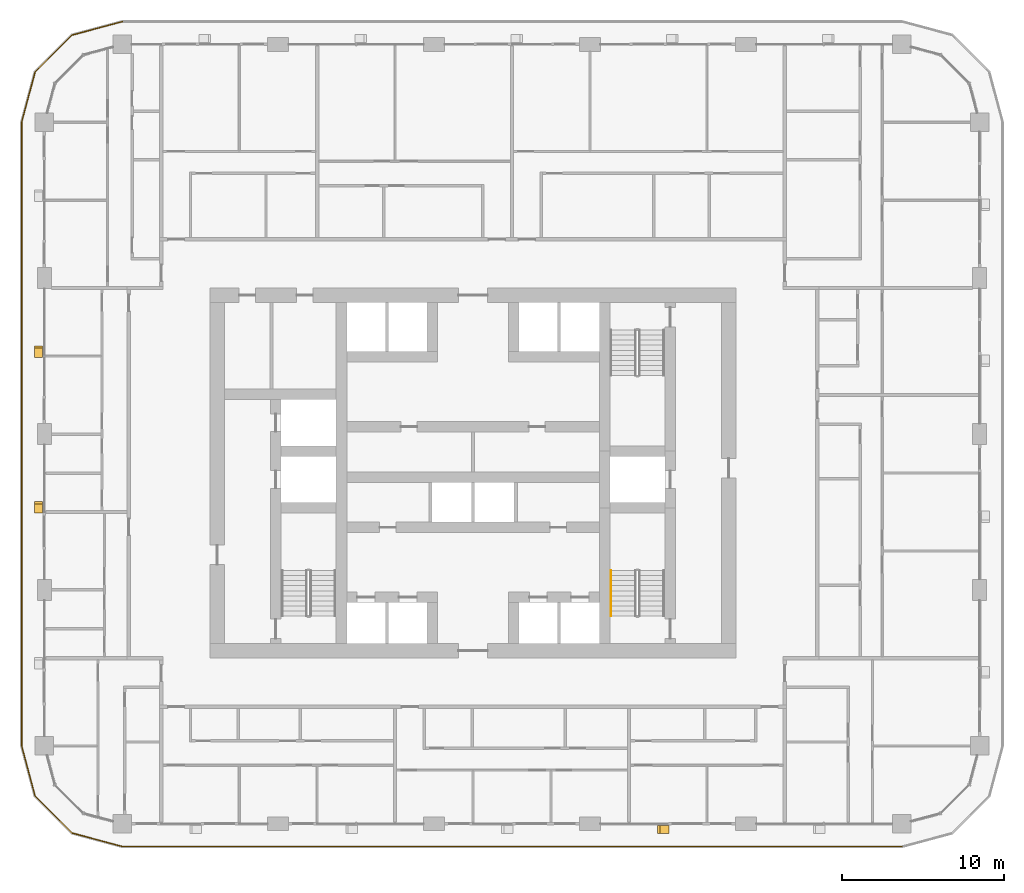
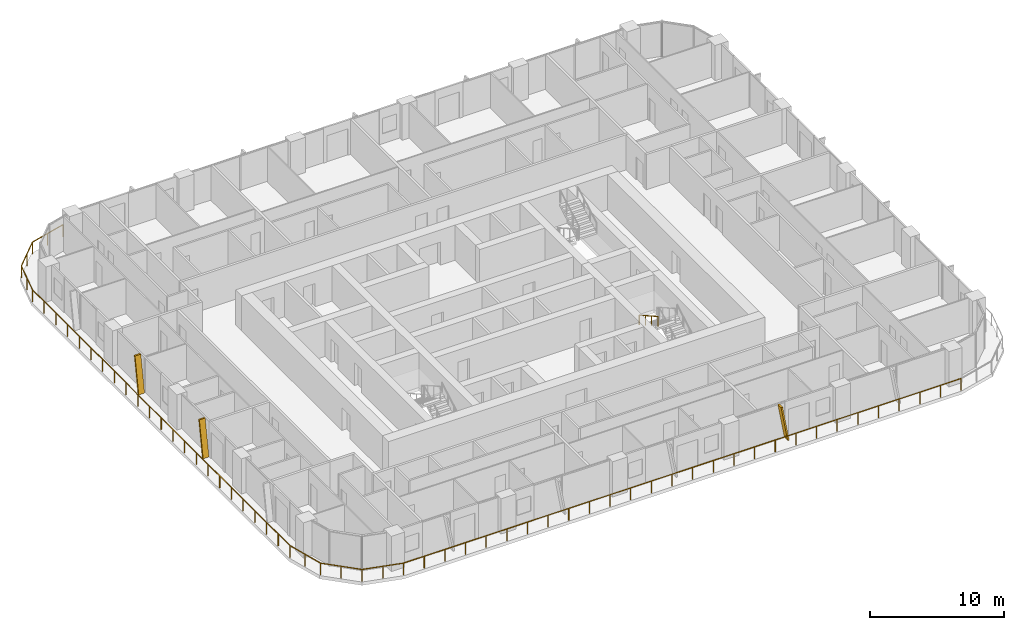
# One storey, part 17 of 21: 3 shading devices, 2 railings.
"""IFC4 building model written with IfcOpenShell, lengths in metres."""

from ifc_helpers import new_model, si_unit, direction, frame, origin, origin_2d, place, context, subcontext, project, spatial, polyline, circle, outline, extrude, material, type_object, element, save


model = new_model("IFC4")

# Units and contexts
model_context = context("Model", 3, precision=1e-05, world=origin(), true_north=direction((0.0, 1.0)))
body_context = subcontext(model_context, "Body", "Model", "MODEL_VIEW")
ifc_project = project(units=[si_unit("LENGTHUNIT", "METRE"), si_unit("AREAUNIT", "SQUARE_METRE"), si_unit("VOLUMEUNIT", "CUBIC_METRE"), si_unit("PLANEANGLEUNIT", "RADIAN"), si_unit("MASSUNIT", "GRAM", prefix="KILO")], contexts=[model_context])

# Site, building, storey
site_placement = place(None, origin())
site = spatial("IfcSite", under=ifc_project, at=site_placement, CompositionType="ELEMENT")
building_placement = place(site_placement, origin())
building = spatial("IfcBuilding", under=site, at=building_placement, Name="Madar Terraces", CompositionType="ELEMENT")
storey_placement = place(building_placement, frame((0.0, 0.0, 106.699951171875)))
storey = spatial("IfcBuildingStorey", under=building, at=storey_placement, Name="L27", CompositionType="ELEMENT", Elevation=106.699951171875)

# Railing
ifc_material_1 = material(Name="Glass, safety glazing, with stainless steel posts", Category="steel")
railing_type_1 = type_object("IfcRailingType", Name="Balcony glass guard 1100", PredefinedType="GUARDRAIL", material=ifc_material_1)
railing_1_placement = place(storey_placement, frame((9.60009765625, 54.199951171875, 0.0)))
element("IfcRailing", 1, at=railing_1_placement, inside=storey, type_object=railing_type_1, Name="Balcony guard", PredefinedType="GUARDRAIL", context=body_context, shape_type="SweptSolid", body=[
    extrude(circle(Radius=0.02392578125, at=origin_2d()), frame((0.0, 0.0, 1.076171875), z_axis=(-0.9659337912, -0.258789317819, 0.0), x_axis=(0.258789317819, -0.9659337912, 0.0)), (0.0, 0.0, 1.0), 3.20947265625),
    extrude(circle(Radius=0.02392578125, at=origin_2d()), frame((-3.10009765625, -0.83056640625, 1.076171875), z_axis=(-0.707106781187, -0.707106781187, 0.0), x_axis=(0.707106781187, -0.707106781187, 0.0)), (0.0, 0.0, 1.0), 3.209228515625),
    extrude(circle(Radius=0.02392578125, at=origin_2d()), frame((-5.369384765625, -3.099853515625, 1.076171875), z_axis=(-0.258860290944, -0.965914773555, 0.0), x_axis=(0.965914773555, -0.258860290944, 0.0)), (0.0, 0.0, 1.0), 3.20947265625),
    extrude(circle(Radius=0.02392578125, at=origin_2d()), frame((-6.2001953125, -6.199951171875, 1.076171875), z_axis=(0.0, -1.0, 0.0), x_axis=(1.0, 0.0, 0.0)), (0.0, 0.0, 1.0), 38.39990234375),
    extrude(circle(Radius=0.02392578125, at=origin_2d()), frame((-6.2001953125, -44.599853515625, 1.076171875), z_axis=(0.258860290944, -0.965914773555, 0.0), x_axis=(0.965914773555, 0.258860290944, 0.0)), (0.0, 0.0, 1.0), 3.20947265625),
    extrude(circle(Radius=0.02392578125, at=origin_2d()), frame((-5.369384765625, -47.699951171875, 1.076171875), z_axis=(0.707106781187, -0.707106781187, 0.0), x_axis=(0.707106781187, 0.707106781187, 0.0)), (0.0, 0.0, 1.0), 3.209228515625),
    extrude(circle(Radius=0.02392578125, at=origin_2d()), frame((-3.10009765625, -49.96923828125, 1.076171875), z_axis=(0.965914773555, -0.258860290944, 0.0), x_axis=(0.258860290944, 0.965914773555, 0.0)), (0.0, 0.0, 1.0), 3.20947265625),
    extrude(circle(Radius=0.02392578125, at=origin_2d()), frame((0.0, -50.800048828125, 1.076171875), z_axis=(1.0, 0.0, 0.0), x_axis=(0.0, 1.0, 0.0)), (0.0, 0.0, 1.0), 48.0),
    extrude(circle(Radius=0.02099609375, at=origin_2d()), origin(), (0.0, 0.0, 1.0), 1.052001953125),
    extrude(circle(Radius=0.02099609375, at=origin_2d()), frame((-1.550048828125, -0.415283203125, 0.0)), (0.0, 0.0, 1.0), 1.052001953125),
    extrude(circle(Radius=0.02099609375, at=origin_2d()), frame((-3.10009765625, -0.83056640625, 0.0)), (0.0, 0.0, 1.0), 1.052001953125),
    extrude(circle(Radius=0.02099609375, at=origin_2d()), frame((-4.23486328125, -1.96533203125, 0.0)), (0.0, 0.0, 1.0), 1.052001953125),
    extrude(circle(Radius=0.02099609375, at=origin_2d()), frame((-5.369384765625, -3.099853515625, 0.0)), (0.0, 0.0, 1.0), 1.052001953125),
    extrude(circle(Radius=0.02099609375, at=origin_2d()), frame((-5.78466796875, -4.64990234375, 0.0)), (0.0, 0.0, 1.0), 1.052001953125),
    extrude(circle(Radius=0.02099609375, at=origin_2d()), frame((-6.2001953125, -6.199951171875, 0.0)), (0.0, 0.0, 1.0), 1.052001953125),
    extrude(circle(Radius=0.02099609375, at=origin_2d()), frame((-6.2001953125, -7.9453125, 0.0)), (0.0, 0.0, 1.0), 1.052001953125),
    extrude(circle(Radius=0.02099609375, at=origin_2d()), frame((-6.2001953125, -9.69091796875, 0.0)), (0.0, 0.0, 1.0), 1.052001953125),
    extrude(circle(Radius=0.02099609375, at=origin_2d()), frame((-6.2001953125, -11.436279296875, 0.0)), (0.0, 0.0, 1.0), 1.052001953125),
    extrude(circle(Radius=0.02099609375, at=origin_2d()), frame((-6.2001953125, -13.181640625, 0.0)), (0.0, 0.0, 1.0), 1.052001953125),
    extrude(circle(Radius=0.02099609375, at=origin_2d()), frame((-6.2001953125, -14.92724609375, 0.0)), (0.0, 0.0, 1.0), 1.052001953125),
    extrude(circle(Radius=0.02099609375, at=origin_2d()), frame((-6.2001953125, -16.672607421875, 0.0)), (0.0, 0.0, 1.0), 1.052001953125),
    extrude(circle(Radius=0.02099609375, at=origin_2d()), frame((-6.2001953125, -18.418212890625, 0.0)), (0.0, 0.0, 1.0), 1.052001953125),
    extrude(circle(Radius=0.02099609375, at=origin_2d()), frame((-6.2001953125, -20.16357421875, 0.0)), (0.0, 0.0, 1.0), 1.052001953125),
    extrude(circle(Radius=0.02099609375, at=origin_2d()), frame((-6.2001953125, -21.908935546875, 0.0)), (0.0, 0.0, 1.0), 1.052001953125),
    extrude(circle(Radius=0.02099609375, at=origin_2d()), frame((-6.2001953125, -23.654541015625, 0.0)), (0.0, 0.0, 1.0), 1.052001953125),
    extrude(circle(Radius=0.02099609375, at=origin_2d()), frame((-6.2001953125, -25.39990234375, 0.0)), (0.0, 0.0, 1.0), 1.052001953125),
    extrude(circle(Radius=0.02099609375, at=origin_2d()), frame((-6.2001953125, -27.145263671875, 0.0)), (0.0, 0.0, 1.0), 1.052001953125),
    extrude(circle(Radius=0.02099609375, at=origin_2d()), frame((-6.2001953125, -28.890869140625, 0.0)), (0.0, 0.0, 1.0), 1.052001953125),
    extrude(circle(Radius=0.02099609375, at=origin_2d()), frame((-6.2001953125, -30.63623046875, 0.0)), (0.0, 0.0, 1.0), 1.052001953125),
    extrude(circle(Radius=0.02099609375, at=origin_2d()), frame((-6.2001953125, -32.381591796875, 0.0)), (0.0, 0.0, 1.0), 1.052001953125),
    extrude(circle(Radius=0.02099609375, at=origin_2d()), frame((-6.2001953125, -34.127197265625, 0.0)), (0.0, 0.0, 1.0), 1.052001953125),
    extrude(circle(Radius=0.02099609375, at=origin_2d()), frame((-6.2001953125, -35.87255859375, 0.0)), (0.0, 0.0, 1.0), 1.052001953125),
    extrude(circle(Radius=0.02099609375, at=origin_2d()), frame((-6.2001953125, -37.6181640625, 0.0)), (0.0, 0.0, 1.0), 1.052001953125),
    extrude(circle(Radius=0.02099609375, at=origin_2d()), frame((-6.2001953125, -39.363525390625, 0.0)), (0.0, 0.0, 1.0), 1.052001953125),
    extrude(circle(Radius=0.02099609375, at=origin_2d()), frame((-6.2001953125, -41.10888671875, 0.0)), (0.0, 0.0, 1.0), 1.052001953125),
    extrude(circle(Radius=0.02099609375, at=origin_2d()), frame((-6.2001953125, -42.8544921875, 0.0)), (0.0, 0.0, 1.0), 1.052001953125),
    extrude(circle(Radius=0.02099609375, at=origin_2d()), frame((-6.2001953125, -44.599853515625, 0.0)), (0.0, 0.0, 1.0), 1.052001953125),
    extrude(circle(Radius=0.02099609375, at=origin_2d()), frame((-5.78466796875, -46.14990234375, 0.0)), (0.0, 0.0, 1.0), 1.052001953125),
    extrude(circle(Radius=0.02099609375, at=origin_2d()), frame((-5.369384765625, -47.699951171875, 0.0)), (0.0, 0.0, 1.0), 1.052001953125),
    extrude(circle(Radius=0.02099609375, at=origin_2d()), frame((-4.23486328125, -48.83447265625, 0.0)), (0.0, 0.0, 1.0), 1.052001953125),
    extrude(circle(Radius=0.02099609375, at=origin_2d()), frame((-3.10009765625, -49.96923828125, 0.0)), (0.0, 0.0, 1.0), 1.052001953125),
    extrude(circle(Radius=0.02099609375, at=origin_2d()), frame((-1.550048828125, -50.384765625, 0.0)), (0.0, 0.0, 1.0), 1.052001953125),
    extrude(circle(Radius=0.02099609375, at=origin_2d()), frame((0.0, -50.800048828125, 0.0)), (0.0, 0.0, 1.0), 1.052001953125),
    extrude(circle(Radius=0.02099609375, at=origin_2d()), frame((1.77783203125, -50.800048828125, 0.0)), (0.0, 0.0, 1.0), 1.052001953125),
    extrude(circle(Radius=0.02099609375, at=origin_2d()), frame((3.5556640625, -50.800048828125, 0.0)), (0.0, 0.0, 1.0), 1.052001953125),
    extrude(circle(Radius=0.02099609375, at=origin_2d()), frame((5.333251953125, -50.800048828125, 0.0)), (0.0, 0.0, 1.0), 1.052001953125),
    extrude(circle(Radius=0.02099609375, at=origin_2d()), frame((7.111083984375, -50.800048828125, 0.0)), (0.0, 0.0, 1.0), 1.052001953125),
    extrude(circle(Radius=0.02099609375, at=origin_2d()), frame((8.888916015625, -50.800048828125, 0.0)), (0.0, 0.0, 1.0), 1.052001953125),
    extrude(circle(Radius=0.02099609375, at=origin_2d()), frame((10.666748046875, -50.800048828125, 0.0)), (0.0, 0.0, 1.0), 1.052001953125),
    extrude(circle(Radius=0.02099609375, at=origin_2d()), frame((12.4443359375, -50.800048828125, 0.0)), (0.0, 0.0, 1.0), 1.052001953125),
    extrude(circle(Radius=0.02099609375, at=origin_2d()), frame((14.22216796875, -50.800048828125, 0.0)), (0.0, 0.0, 1.0), 1.052001953125),
    extrude(circle(Radius=0.02099609375, at=origin_2d()), frame((16.0, -50.800048828125, 0.0)), (0.0, 0.0, 1.0), 1.052001953125),
    extrude(circle(Radius=0.02099609375, at=origin_2d()), frame((17.77783203125, -50.800048828125, 0.0)), (0.0, 0.0, 1.0), 1.052001953125),
    extrude(circle(Radius=0.02099609375, at=origin_2d()), frame((19.5556640625, -50.800048828125, 0.0)), (0.0, 0.0, 1.0), 1.052001953125),
    extrude(circle(Radius=0.02099609375, at=origin_2d()), frame((21.333251953125, -50.800048828125, 0.0)), (0.0, 0.0, 1.0), 1.052001953125),
    extrude(circle(Radius=0.02099609375, at=origin_2d()), frame((23.111083984375, -50.800048828125, 0.0)), (0.0, 0.0, 1.0), 1.052001953125),
    extrude(circle(Radius=0.02099609375, at=origin_2d()), frame((24.888916015625, -50.800048828125, 0.0)), (0.0, 0.0, 1.0), 1.052001953125),
    extrude(circle(Radius=0.02099609375, at=origin_2d()), frame((26.666748046875, -50.800048828125, 0.0)), (0.0, 0.0, 1.0), 1.052001953125),
    extrude(circle(Radius=0.02099609375, at=origin_2d()), frame((28.4443359375, -50.800048828125, 0.0)), (0.0, 0.0, 1.0), 1.052001953125),
    extrude(circle(Radius=0.02099609375, at=origin_2d()), frame((30.22216796875, -50.800048828125, 0.0)), (0.0, 0.0, 1.0), 1.052001953125),
    extrude(circle(Radius=0.02099609375, at=origin_2d()), frame((32.0, -50.800048828125, 0.0)), (0.0, 0.0, 1.0), 1.052001953125),
    extrude(circle(Radius=0.02099609375, at=origin_2d()), frame((33.77783203125, -50.800048828125, 0.0)), (0.0, 0.0, 1.0), 1.052001953125),
    extrude(circle(Radius=0.02099609375, at=origin_2d()), frame((35.5556640625, -50.800048828125, 0.0)), (0.0, 0.0, 1.0), 1.052001953125),
    extrude(circle(Radius=0.02099609375, at=origin_2d()), frame((37.333251953125, -50.800048828125, 0.0)), (0.0, 0.0, 1.0), 1.052001953125),
    extrude(circle(Radius=0.02099609375, at=origin_2d()), frame((39.111083984375, -50.800048828125, 0.0)), (0.0, 0.0, 1.0), 1.052001953125),
    extrude(circle(Radius=0.02099609375, at=origin_2d()), frame((40.888916015625, -50.800048828125, 0.0)), (0.0, 0.0, 1.0), 1.052001953125),
    extrude(circle(Radius=0.02099609375, at=origin_2d()), frame((42.666748046875, -50.800048828125, 0.0)), (0.0, 0.0, 1.0), 1.052001953125),
    extrude(circle(Radius=0.02099609375, at=origin_2d()), frame((44.4443359375, -50.800048828125, 0.0)), (0.0, 0.0, 1.0), 1.052001953125),
    extrude(circle(Radius=0.02099609375, at=origin_2d()), frame((46.22216796875, -50.800048828125, 0.0)), (0.0, 0.0, 1.0), 1.052001953125),
    extrude(circle(Radius=0.02099609375, at=origin_2d()), frame((48.0, -50.800048828125, 0.0)), (0.0, 0.0, 1.0), 1.052001953125),
])

# Shading devices
ifc_material_2 = material(Name="Aluminium, black anodised", Category="aluminium")
shading_device_type = type_object("IfcShadingDeviceType", Name="Facade fin blade 140 x 500", PredefinedType="USERDEFINED", material=ifc_material_2)
shading_device_1_placement = place(storey_placement, frame((43.1298828125, 4.449951171875, 0.0), z_axis=(0.0, 0.0, 1.0), x_axis=(1.0, 0.0, 0.0)))
element("IfcShadingDevice", 2, at=shading_device_1_placement, inside=storey, type_object=shading_device_type, Name="FIN L27 S4", ObjectType="FIN", PredefinedType="USERDEFINED", context=body_context, shape_type="SweptSolid", body=[
    extrude(outline(polyline([(0.0, 0.0), (0.14013671875, 0.0), (-0.42431640625, 3.199951171875), (-0.564208984375, 3.199951171875), (0.0, 0.0)])), frame((0.0, 0.25, 0.0), z_axis=(0.0, -1.0, 0.0), x_axis=(1.0, 0.0, 0.0)), (0.0, 0.0, 1.0), 0.5),
])
shading_device_2_placement = place(storey_placement, frame((4.449951171875, 33.669921875, 0.0), z_axis=(0.0, 0.0, 1.0), x_axis=(0.0, -1.0, 0.0)))
element("IfcShadingDevice", 3, at=shading_device_2_placement, inside=storey, type_object=shading_device_type, Name="FIN L27 W2", ObjectType="FIN", PredefinedType="USERDEFINED", context=body_context, shape_type="SweptSolid", body=[
    extrude(outline(polyline([(0.0, 0.0), (0.139892578125, 0.0), (-0.42431640625, 3.199951171875), (-0.564208984375, 3.199951171875), (0.0, 0.0)])), frame((0.0, 0.25, 0.0), z_axis=(0.0, -1.0, 0.0), x_axis=(1.0, 0.0, 0.0)), (0.0, 0.0, 1.0), 0.5),
])
shading_device_3_placement = place(storey_placement, frame((4.449951171875, 24.070068359375, 0.0), z_axis=(0.0, 0.0, 1.0), x_axis=(0.0, -1.0, 0.0)))
element("IfcShadingDevice", 4, at=shading_device_3_placement, inside=storey, type_object=shading_device_type, Name="FIN L27 W3", ObjectType="FIN", PredefinedType="USERDEFINED", context=body_context, shape_type="SweptSolid", body=[
    extrude(outline(polyline([(0.0, 0.0), (0.14013671875, 0.0), (-0.42431640625, 3.199951171875), (-0.564208984375, 3.199951171875), (0.0, 0.0)])), frame((0.0, 0.25, 0.0), z_axis=(0.0, -1.0, 0.0), x_axis=(1.0, 0.0, 0.0)), (0.0, 0.0, 1.0), 0.5),
])

# Railing
ifc_material_3 = material(Name="Stainless steel railing", Category="steel")
railing_type_2 = type_object("IfcRailingType", Name="Stair handrail 900", PredefinedType="HANDRAIL", material=ifc_material_3)
railing_2_placement = place(storey_placement, frame((39.699951171875, 20.389892578125, 1.925048828125)))
element("IfcRailing", 5, at=railing_2_placement, inside=storey, type_object=railing_type_2, Name="L27 ST3 stair handrail 2", PredefinedType="HANDRAIL", context=body_context, shape_type="SweptSolid", body=[
    extrude(circle(Radius=0.02392578125, at=origin_2d()), frame((0.0, 0.0, 0.8759765625), z_axis=(0.0, -0.870815363784, 0.491610213684), x_axis=(1.0, 0.0, 0.0)), (0.0, 0.0, 1.0), 3.20361328125),
    extrude(circle(Radius=0.02099609375, at=origin_2d()), origin(), (0.0, 0.0, 1.0), 0.851806640625),
    extrude(circle(Radius=0.02099609375, at=origin_2d()), frame((0.0, -0.929931640625, 0.52490234375)), (0.0, 0.0, 1.0), 0.851806640625),
    extrude(circle(Radius=0.02099609375, at=origin_2d()), frame((0.0, -1.85986328125, 1.050048828125)), (0.0, 0.0, 1.0), 0.851806640625),
    extrude(circle(Radius=0.02099609375, at=origin_2d()), frame((0.0, -2.789794921875, 1.574951171875)), (0.0, 0.0, 1.0), 0.851806640625),
])

save(model, "model.ifc")
